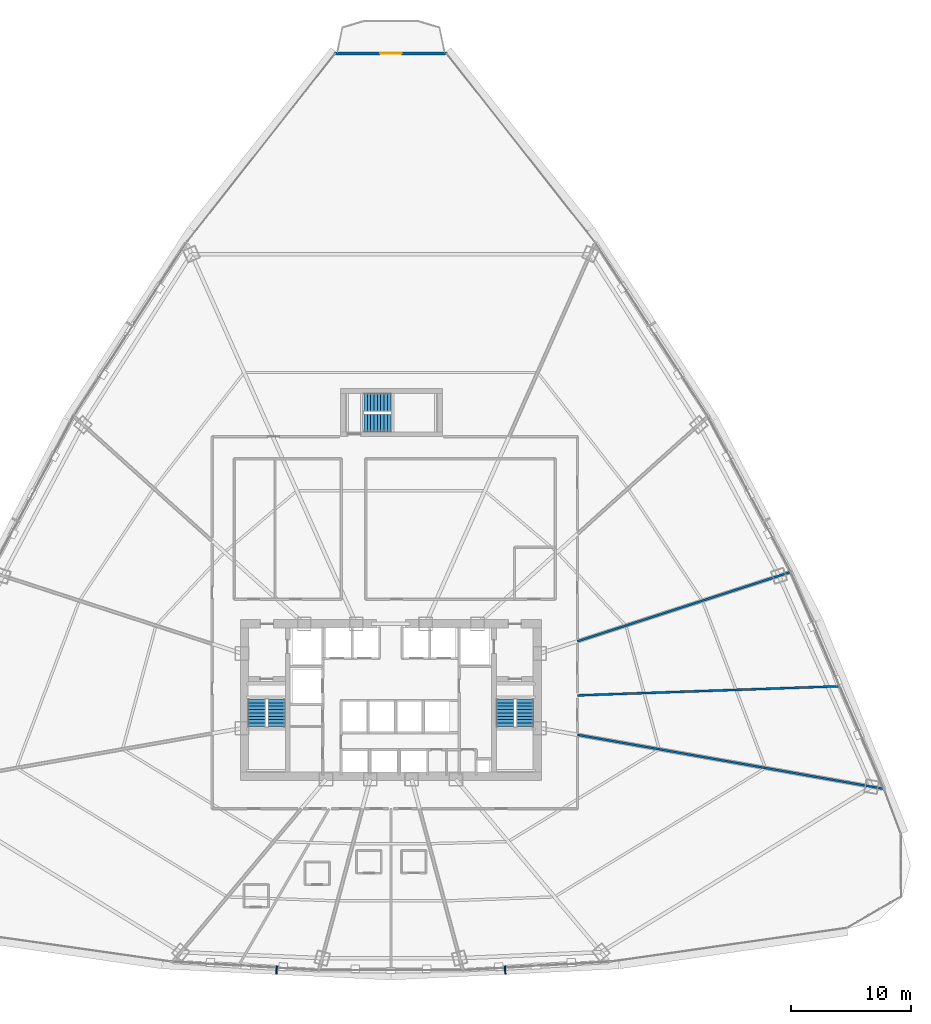
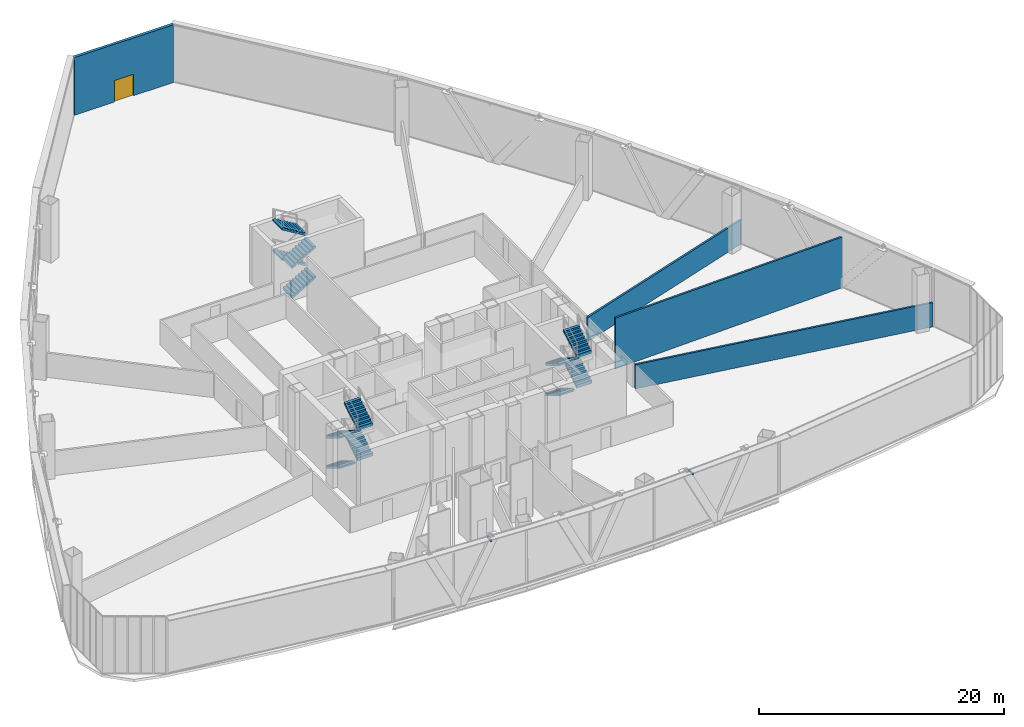
# One storey, part 36 of 41: 12 stair flights, 4 walls, 2 discrete accessories, 1 door, 1 opening, 3 elements without a shape of their own.
"""IFC4 building model written with IfcOpenShell, lengths in metres."""

import ifcopenshell
import ifcopenshell.guid

model = None  # the IFC model being written
_history = None  # IfcOwnerHistory: only IFC2X3 demands one
_inside = {}  # id of a spatial element -> (the spatial element, [elements in it])
_under = {}  # id of a project, library or spatial element -> (it, [spatial elements below it])
_declared = {}  # id of a project -> (the project, [libraries it declares])
_typed = {}  # id of a type object -> (the type object, [elements of that type])
_made_of = {}  # id of a material, layer set ... -> (it, [elements and type objects made of it])


def new_model(schema):
    """Start an empty IFC model of exactly this schema.

    Asked for "IFC4X3", IfcOpenShell would pick the latest addendum, in which some entities
    have other attributes; the version numbers below select the first issue.
    IFC2X3 requires an IfcOwnerHistory on every rooted entity: one is made here for all.
    """
    global model, _history
    if schema == "IFC4X3":
        model = ifcopenshell.file(schema_version=(4, 3, 0, 0))
    else:
        model = ifcopenshell.file(schema=schema)
    _inside.clear()
    _under.clear()
    _declared.clear()
    _typed.clear()
    _made_of.clear()
    _history = None
    if model.schema == "IFC2X3":
        org = make("IfcOrganization", Name="unknown")
        user = make(
            "IfcPersonAndOrganization",
            ThePerson=make("IfcPerson", FamilyName="unknown"),
            TheOrganization=org,
        )
        app = make(
            "IfcApplication",
            ApplicationDeveloper=org,
            Version="unknown",
            ApplicationFullName="unknown",
            ApplicationIdentifier="unknown",
        )
        _history = make(
            "IfcOwnerHistory",
            OwningUser=user,
            OwningApplication=app,
            ChangeAction="ADDED",
            CreationDate=0,
        )
    return model


def make(cls, **values):
    """One entity of the class cls with the attributes given. An attribute that is None is left unset."""
    return model.create_entity(
        cls, **{name: value for name, value in values.items() if value is not None}
    )


def rooted(cls, **values):
    """An entity with a GlobalId (a new one), such as an element, a storey or a relation."""
    return make(cls, GlobalId=ifcopenshell.guid.new(), OwnerHistory=_history, **values)


def si_unit(unit_type, name, prefix=None):
    """IfcSIUnit, for example si_unit("LENGTHUNIT", "METRE", prefix="MILLI")."""
    return make("IfcSIUnit", UnitType=unit_type, Prefix=prefix, Name=name)


def assignment(units):
    """IfcUnitAssignment: the units of a project."""
    return None if units is None else make("IfcUnitAssignment", Units=units)


def point(xyz):
    """IfcCartesianPoint."""
    return None if xyz is None else make("IfcCartesianPoint", Coordinates=xyz)


def direction(xyz):
    """IfcDirection."""
    return None if xyz is None else make("IfcDirection", DirectionRatios=xyz)


def frame(location, z_axis=None, x_axis=None):
    """IfcAxis2Placement3D, a coordinate frame: its origin and axes. An axis left out is left unset."""
    return make(
        "IfcAxis2Placement3D",
        Location=point(location),
        Axis=direction(z_axis),
        RefDirection=direction(x_axis),
    )


def frame_2d(location, x_axis=None):
    """IfcAxis2Placement2D, a coordinate frame in the plane: its origin and x axis."""
    return make(
        "IfcAxis2Placement2D", Location=point(location), RefDirection=direction(x_axis)
    )


def origin():
    """The frame at (0, 0, 0) with its axes left unset."""
    return frame((0.0, 0.0, 0.0))


def origin_with_axes():
    """The frame at (0, 0, 0) with the z axis (0, 0, 1) and the x axis (1, 0, 0) written out."""
    return frame((0.0, 0.0, 0.0), z_axis=(0.0, 0.0, 1.0), x_axis=(1.0, 0.0, 0.0))


def origin_2d():
    """The frame at (0, 0) in the plane with its x axis left unset."""
    return frame_2d((0.0, 0.0))


def place(relative_to, where):
    """IfcLocalPlacement: puts the frame where relative to a parent placement (None: the world)."""
    return make(
        "IfcLocalPlacement", PlacementRelTo=relative_to, RelativePlacement=where
    )


def context(
    kind, dimensions, precision=None, world=None, true_north=None, identifier=None
):
    """IfcGeometricRepresentationContext, for example the 3D "Model" context."""
    return make(
        "IfcGeometricRepresentationContext",
        ContextIdentifier=identifier,
        ContextType=kind,
        CoordinateSpaceDimension=dimensions,
        Precision=precision,
        WorldCoordinateSystem=world,
        TrueNorth=true_north,
    )


def subcontext(parent, identifier, kind, view, scale=None):
    """IfcGeometricRepresentationSubContext, for example "Body" below "Model"."""
    return make(
        "IfcGeometricRepresentationSubContext",
        ContextIdentifier=identifier,
        ContextType=kind,
        ParentContext=parent,
        TargetScale=scale,
        TargetView=view,
    )


def project(units=None, contexts=None):
    """IfcProject with its units and contexts."""
    return rooted(
        "IfcProject",
        Name="project",
        RepresentationContexts=contexts,
        UnitsInContext=assignment(units),
    )


def spatial(cls, under=None, at=None, **own):
    """A site, building, storey or space (cls), placed at a placement, below another one or the project."""
    s = rooted(cls, ObjectPlacement=at, **own)
    if under is not None:
        _under.setdefault(under.id(), (under, []))[1].append(s)
    return s


def polyline(points):
    """IfcPolyline through the points."""
    return make("IfcPolyline", Points=[point(p) for p in points])


def profile(cls, at=None, kind="AREA", **sizes):
    """A parametric profile (cls). Its sizes go by their IFC names, for example OverallWidth=200.0."""
    return make(cls, ProfileType=kind, Position=at, **sizes)


def rectangle(**sizes):
    """IfcRectangleProfileDef."""
    return profile("IfcRectangleProfileDef", **sizes)


def outline(outer, holes=None, kind="AREA"):
    """IfcArbitraryClosedProfileDef: a profile drawn as a closed curve; with holes, ...WithVoids."""
    if holes is None:
        return make("IfcArbitraryClosedProfileDef", ProfileType=kind, OuterCurve=outer)
    return make(
        "IfcArbitraryProfileDefWithVoids",
        ProfileType=kind,
        OuterCurve=outer,
        InnerCurves=holes,
    )


def extrude(swept, where, along, depth):
    """IfcExtrudedAreaSolid: the profile swept, set in the frame where, extruded along a direction by depth."""
    return make(
        "IfcExtrudedAreaSolid",
        SweptArea=swept,
        Position=where,
        ExtrudedDirection=direction(along),
        Depth=depth,
    )


def shape(context_of_items, identifier, shape_type, items):
    """IfcShapeRepresentation: the items that make up one representation, for example the "Body"."""
    return make(
        "IfcShapeRepresentation",
        ContextOfItems=context_of_items,
        RepresentationIdentifier=identifier,
        RepresentationType=shape_type,
        Items=items,
    )


def source(mapping_origin, context_of_items, identifier, shape_type, items):
    """IfcRepresentationMap: a shape defined once, which mapped items show again and again."""
    return make(
        "IfcRepresentationMap",
        MappingOrigin=mapping_origin,
        MappedRepresentation=shape(context_of_items, identifier, shape_type, items),
    )


def transform(
    local_origin,
    x_axis=None,
    y_axis=None,
    z_axis=None,
    scale=None,
    scale2=None,
    scale3=None,
    uniform=True,
):
    """IfcCartesianTransformationOperator3D, or its non-uniform kind. x_axis, y_axis, z_axis: its Axis1, 2, 3."""
    if uniform:
        return make(
            "IfcCartesianTransformationOperator3D",
            Axis1=direction(x_axis),
            Axis2=direction(y_axis),
            LocalOrigin=point(local_origin),
            Scale=scale,
            Axis3=direction(z_axis),
        )
    return make(
        "IfcCartesianTransformationOperator3DnonUniform",
        Axis1=direction(x_axis),
        Axis2=direction(y_axis),
        LocalOrigin=point(local_origin),
        Scale=scale,
        Axis3=direction(z_axis),
        Scale2=scale2,
        Scale3=scale3,
    )


def mapped(mapping_source, mapping_target):
    """IfcMappedItem: shows the shape of a source again, moved by a transform."""
    return make(
        "IfcMappedItem", MappingSource=mapping_source, MappingTarget=mapping_target
    )


def material(Name=None, Category=None):
    """IfcMaterial."""
    return make("IfcMaterial", Name=Name, Category=Category)


def layer(
    of_material, thickness, ventilated=None, Name=None, Category=None, Priority=None
):
    """IfcMaterialLayer: one layer of a wall or slab, of a material (None: an air gap)."""
    return make(
        "IfcMaterialLayer",
        Material=of_material,
        LayerThickness=thickness,
        IsVentilated=ventilated,
        Name=Name,
        Category=Category,
        Priority=Priority,
    )


def layer_set(layers, Name=None):
    """IfcMaterialLayerSet."""
    return make("IfcMaterialLayerSet", MaterialLayers=layers, LayerSetName=Name)


def made_of(thing, what):
    """Note that an element or type object is made of a material, layer set ...; save() writes the relation."""
    if what is not None:
        _made_of.setdefault(what.id(), (what, []))[1].append(thing)
    return thing


def type_object(cls, material=None, **own):
    """A type object (cls), such as IfcWallType, which elements share."""
    return made_of(rooted(cls, **own), material)


def element(
    cls,
    number,
    at=None,
    inside=None,
    cuts=None,
    type_object=None,
    material=None,
    context=None,
    identifier="Body",
    shape_type=None,
    held_by="IfcProductDefinitionShape",
    body=None,
    shapes=None,
    **own,
):
    """One element of the class cls, such as IfcWall. Its Tag is "e" and its number.

    at: its placement. inside: the storey or other place that contains it. cuts: it is an
    opening in that element (IfcRelVoidsElement). A single representation is given by context,
    identifier, shape_type and body (its items); several are given by shapes. held_by: the class
    of the entity that holds the representations. save() writes the other relations.
    """
    e = rooted(cls, Tag="e%d" % number, ObjectPlacement=at, **own)
    if body is not None:
        shapes = [shape(context, identifier, shape_type, body)]
    if shapes is not None:
        e.Representation = make(held_by, Representations=shapes)
    if inside is not None:
        _inside.setdefault(inside.id(), (inside, []))[1].append(e)
    if cuts is not None:
        rooted(
            "IfcRelVoidsElement", RelatingBuildingElement=cuts, RelatedOpeningElement=e
        )
    if type_object is not None:
        _typed.setdefault(type_object.id(), (type_object, []))[1].append(e)
    return made_of(e, material)


def fill(opening, filler):
    """IfcRelFillsElement: the door or window that sits in an opening."""
    return rooted(
        "IfcRelFillsElement",
        RelatingOpeningElement=opening,
        RelatedBuildingElement=filler,
    )


def aggregate(whole, parts):
    """IfcRelAggregates: a whole, such as a stair, and the parts it consists of."""
    return rooted("IfcRelAggregates", RelatingObject=whole, RelatedObjects=parts)


def save(model, path):
    """Write the relations noted so far, then the file.

    IfcRelAggregates (storeys below a building ...), IfcRelContainedInSpatialStructure (elements
    in a storey), IfcRelDefinesByType, IfcRelAssociatesMaterial and IfcRelDeclares: one each for
    every whole, place, type object, material and project.
    """
    for whole, parts in _under.values():
        aggregate(whole, parts)
    for where, things in _inside.values():
        rooted(
            "IfcRelContainedInSpatialStructure",
            RelatedElements=things,
            RelatingStructure=where,
        )
    for kind, things in _typed.values():
        rooted("IfcRelDefinesByType", RelatedObjects=things, RelatingType=kind)
    for what, things in _made_of.values():
        rooted("IfcRelAssociatesMaterial", RelatedObjects=things, RelatingMaterial=what)
    for by, libraries in _declared.values():
        rooted("IfcRelDeclares", RelatingContext=by, RelatedDefinitions=libraries)
    model.write(path)


model = new_model("IFC4")

# Units and contexts
model_context = context("Model", 3, precision=1e-05, world=origin(), true_north=direction((0.0, 1.0)))
body_context = subcontext(model_context, "Body", "Model", "MODEL_VIEW")
ifc_project = project(units=[si_unit("LENGTHUNIT", "METRE"), si_unit("AREAUNIT", "SQUARE_METRE"), si_unit("VOLUMEUNIT", "CUBIC_METRE"), si_unit("PLANEANGLEUNIT", "RADIAN"), si_unit("MASSUNIT", "GRAM", prefix="KILO"), si_unit("THERMODYNAMICTEMPERATUREUNIT", "KELVIN"), si_unit("POWERUNIT", "WATT")], contexts=[model_context])

# Site, building, storey
site_placement = place(None, origin())
site = spatial("IfcSite", under=ifc_project, at=site_placement, CompositionType="ELEMENT")
building_placement = place(site_placement, origin())
building = spatial("IfcBuilding", under=site, at=building_placement, Name="Yunzhuo Pagoda Commons", CompositionType="ELEMENT")
storey_placement = place(building_placement, frame((0.0, 0.0, 70.330078125)))
storey = spatial("IfcBuildingStorey", under=building, at=storey_placement, Name="L18", CompositionType="ELEMENT", Elevation=70.330078125)

# Wall, opening, door
ifc_material_1 = material(Name="Precast concrete C40", Category="concrete")
ifc_layer_1 = layer(ifc_material_1, 0.260009765625)
ifc_layer_set_1 = layer_set([ifc_layer_1], Name="Precast concrete C40")
wall_type_1 = type_object("IfcWallType", Name="W-BAL1 Corner Balcony Threshold Wall 260", PredefinedType="STANDARD", material=ifc_layer_set_1)
wall_1_placement = place(storey_placement, frame((52.69287109375, 87.735107421875, 0.0), z_axis=(0.0, 0.0, 1.0), x_axis=(-1.0, 0.0, 0.0)))
wall_1 = element("IfcWall", 1, at=wall_1_placement, inside=storey, type_object=wall_type_1, Name="L18 corner balcony wall V3", PredefinedType="STANDARD", context=body_context, shape_type="SweptSolid", body=[
    extrude(rectangle(XDim=9.3857421875, YDim=0.260009765625, at=frame_2d((4.69287109375, 0.0))), origin(), (0.0, 0.0, 1.0), 5.77001953125),
])
opening_placement = place(wall_1_placement, frame((3.79296875, 0.0, 0.0)))
opening = element("IfcOpeningElement", 2, at=opening_placement, cuts=wall_1, Name="Opening D-BAL1", PredefinedType="OPENING", context=body_context, shape_type="SweptSolid", body=[
    extrude(rectangle(XDim=1.800048828125, YDim=2.14990234375, at=frame_2d((0.89990234375, 1.074951171875))), frame((0.0, 0.14013671875, 0.0), z_axis=(0.0, -1.0, 0.0), x_axis=(1.0, 0.0, 0.0)), (0.0, 0.0, 1.0), 0.280029296875),
])
ifc_material_2 = material(Name="Anodized aluminium frame and tempered glazed leaf", Category="aluminium")
door_type = type_object("IfcDoorType", Name="D-BAL1 Corner Balcony Sliding Glazed Door 1800x2150", OperationType="DOUBLE_DOOR_SLIDING", PredefinedType="DOOR", material=ifc_material_2)
shared_shape_1 = source(origin(), body_context, "Body", "SweptSolid", [
    extrude(rectangle(XDim=1.800048828125, YDim=2.14990234375, at=frame_2d((0.89990234375, 1.074951171875))), frame((0.0, 0.02490234375, 0.0), z_axis=(0.0, -1.0, 0.0), x_axis=(1.0, 0.0, 0.0)), (0.0, 0.0, 1.0), 0.050048828125),
])
door_placement = place(opening_placement, origin_with_axes())
door = element("IfcDoor", 3, at=door_placement, inside=storey, type_object=door_type, Name="L18 corner balcony sliding door V3", OperationType="DOUBLE_DOOR_SLIDING", OverallHeight=2.14990234375, OverallWidth=1.800048828125, PredefinedType="DOOR", context=body_context, shape_type="MappedRepresentation", body=[
    mapped(shared_shape_1, transform((0.0, 0.0, 0.0), scale=1.0)),
])
fill(opening, door)

# Walls
ifc_material_3 = material(Name="Gypsum plasterboard on acoustic stud")
ifc_layer_2 = layer(ifc_material_3, 0.179931640625)
ifc_layer_set_2 = layer_set([ifc_layer_2], Name="Gypsum plasterboard on acoustic stud")
wall_type_2 = type_object("IfcWallType", Name="W-PRT2 Acoustic Unit Demising Wall 180", PredefinedType="PARTITIONING", material=ifc_layer_set_2)
wall_2_placement = place(storey_placement, frame((63.550048828125, 34.242919921875, 0.0), z_axis=(0.0, 0.0, 1.0), x_axis=(0.999390701976, 0.034903077271, 0.0)))
element("IfcWall", 4, at=wall_2_placement, inside=storey, type_object=wall_type_2, Name="L18 interior wall IW-L18-RAD01", PredefinedType="PARTITIONING", context=body_context, shape_type="SweptSolid", body=[
    extrude(rectangle(XDim=21.8798828125, YDim=0.179931640625, at=frame_2d((10.93994140625, 0.0))), origin(), (0.0, 0.0, 1.0), 5.06982421875),
])
wall_3_placement = place(storey_placement, frame((63.550048828125, 38.75244140625, 0.0), z_axis=(0.0, 0.0, 1.0), x_axis=(0.951053160417, 0.309027322514, 0.0)))
element("IfcWall", 5, at=wall_3_placement, inside=storey, type_object=wall_type_2, Name="L18 interior wall IW-L18-RAD02", PredefinedType="PARTITIONING", context=body_context, shape_type="SweptSolid", body=[
    extrude(rectangle(XDim=18.69921875, YDim=0.179931640625, at=frame_2d((9.349609375, 0.0))), origin(), (0.0, 0.0, 1.0), 2.419921875),
])
wall_4_placement = place(storey_placement, frame((63.550048828125, 30.9580078125, 0.0), z_axis=(0.0, 0.0, 1.0), x_axis=(0.984809239356, -0.173639747982, 0.0)))
element("IfcWall", 6, at=wall_4_placement, inside=storey, type_object=wall_type_2, Name="L18 interior wall IW-L18-RAD13", PredefinedType="PARTITIONING", context=body_context, shape_type="SweptSolid", body=[
    extrude(rectangle(XDim=25.925537109375, YDim=0.179931640625, at=frame_2d((12.962890625, 0.0))), origin(), (0.0, 0.0, 1.0), 2.419921875),
])

# Stair, stair flights
ifc_material_4 = material(Name="Concrete C40", Category="concrete")
stair_type_1 = type_object("IfcStairType", Name="ST-C1 Core Smokeproof Stair ST1", PredefinedType="HALF_TURN_STAIR", material=ifc_material_4)
stair_1_placement = place(storey_placement, origin())
stair_1 = element("IfcStair", 7, at=stair_1_placement, inside=storey, type_object=stair_type_1, Name="L18 Core smokeproof stair ST1", PredefinedType="HALF_TURN_STAIR")
stair_flight_type_1 = type_object("IfcStairFlightType", Name="STF-C1 Core Stair Flight 1450", PredefinedType="STRAIGHT", material=ifc_material_4)
shared_shape_2 = source(origin(), body_context, "Body", "SweptSolid", [
    extrude(outline(polyline([(0.0, -0.14990234375), (0.0, 0.0), (0.0, 0.16796875), (0.280029296875, 0.16796875), (0.280029296875, 0.336181640625), (0.56005859375, 0.336181640625), (0.56005859375, 0.504150390625), (0.840087890625, 0.504150390625), (0.840087890625, 0.672119140625), (1.1201171875, 0.672119140625), (1.1201171875, 0.84033203125), (1.39990234375, 0.84033203125), (1.39990234375, 1.00830078125), (1.679931640625, 1.00830078125), (1.679931640625, 1.17626953125), (1.9599609375, 1.17626953125), (1.9599609375, 1.344482421875), (2.239990234375, 1.344482421875), (2.239990234375, 1.512451171875), (2.239990234375, 1.169677734375), (0.291259765625, 0.0), (0.050048828125, -0.14990234375), (0.0, -0.14990234375)])), frame((0.0, 0.72509765625, 0.0), z_axis=(0.0, -1.0, 0.0), x_axis=(1.0, 0.0, 0.0)), (0.0, 0.0, 1.0), 1.449951171875),
])
stair_flight_1_placement = place(storey_placement, frame((36.824951171875, 33.89990234375, 0.0), z_axis=(0.0, 0.0, 1.0), x_axis=(0.0, -1.0, 0.0)))
stair_flight_1 = element("IfcStairFlight", 8, at=stair_flight_1_placement, type_object=stair_flight_type_1, Name="ST1 flight 1", NumberOfRisers=9, NumberOfTreads=8, PredefinedType="STRAIGHT", RiserHeight=0.168055556, TreadLength=0.28, context=body_context, shape_type="MappedRepresentation", body=[
    mapped(shared_shape_2, transform((0.0, 0.0, 0.0), scale=1.0)),
])
stair_flight_2_placement = place(storey_placement, frame((38.47509765625, 31.659912109375, 1.512451171875), z_axis=(0.0, 0.0, 1.0), x_axis=(0.0, 1.0, 0.0)))
stair_flight_2 = element("IfcStairFlight", 9, at=stair_flight_2_placement, type_object=stair_flight_type_1, Name="ST1 flight 2", NumberOfRisers=9, NumberOfTreads=8, PredefinedType="STRAIGHT", RiserHeight=0.168055556, TreadLength=0.28, context=body_context, shape_type="MappedRepresentation", body=[
    mapped(shared_shape_2, transform((0.0, 0.0, 0.0), scale=1.0)),
])
stair_flight_3_placement = place(storey_placement, frame((36.824951171875, 33.89990234375, 3.02490234375), z_axis=(0.0, 0.0, 1.0), x_axis=(0.0, -1.0, 0.0)))
stair_flight_3 = element("IfcStairFlight", 10, at=stair_flight_3_placement, type_object=stair_flight_type_1, Name="ST1 flight 3", NumberOfRisers=9, NumberOfTreads=8, PredefinedType="STRAIGHT", RiserHeight=0.168055556, TreadLength=0.28, context=body_context, shape_type="MappedRepresentation", body=[
    mapped(shared_shape_2, transform((0.0, 0.0, 0.0), scale=1.0)),
])
stair_flight_4_placement = place(storey_placement, frame((38.47509765625, 31.659912109375, 4.537353515625), z_axis=(0.0, 0.0, 1.0), x_axis=(0.0, 1.0, 0.0)))
stair_flight_4 = element("IfcStairFlight", 11, at=stair_flight_4_placement, type_object=stair_flight_type_1, Name="ST1 flight 4", NumberOfRisers=9, NumberOfTreads=8, PredefinedType="STRAIGHT", RiserHeight=0.168055556, TreadLength=0.28, context=body_context, shape_type="MappedRepresentation", body=[
    mapped(shared_shape_2, transform((0.0, 0.0, 0.0), scale=1.0)),
])
aggregate(stair_1, [stair_flight_1, stair_flight_2, stair_flight_3, stair_flight_4])

stair_type_2 = type_object("IfcStairType", Name="ST-C2 Core Smokeproof Stair ST2", PredefinedType="HALF_TURN_STAIR", material=ifc_material_4)
stair_2_placement = place(storey_placement, origin())
stair_2 = element("IfcStair", 12, at=stair_2_placement, inside=storey, type_object=stair_type_2, Name="L18 Core smokeproof stair ST2", PredefinedType="HALF_TURN_STAIR")
stair_flight_type_2 = type_object("IfcStairFlightType", Name="STF-C2 Core Stair Flight 1460", PredefinedType="STRAIGHT", material=ifc_material_4)
stair_flight_5_placement = place(storey_placement, frame((57.52490234375, 33.89990234375, 0.0), z_axis=(0.0, 0.0, 1.0), x_axis=(0.0, -1.0, 0.0)))
stair_flight_5 = element("IfcStairFlight", 13, at=stair_flight_5_placement, type_object=stair_flight_type_2, Name="ST2 flight 1", NumberOfRisers=9, NumberOfTreads=8, PredefinedType="STRAIGHT", RiserHeight=0.168055556, TreadLength=0.28, context=body_context, shape_type="MappedRepresentation", body=[
    mapped(shared_shape_2, transform((0.0, 0.0, 0.0), scale=1.0)),
])
stair_flight_6_placement = place(storey_placement, frame((59.175048828125, 31.659912109375, 1.512451171875), z_axis=(0.0, 0.0, 1.0), x_axis=(0.0, 1.0, 0.0)))
stair_flight_6 = element("IfcStairFlight", 14, at=stair_flight_6_placement, type_object=stair_flight_type_2, Name="ST2 flight 2", NumberOfRisers=9, NumberOfTreads=8, PredefinedType="STRAIGHT", RiserHeight=0.168055556, TreadLength=0.28, context=body_context, shape_type="MappedRepresentation", body=[
    mapped(shared_shape_2, transform((0.0, 0.0, 0.0), scale=1.0)),
])
stair_flight_7_placement = place(storey_placement, frame((57.52490234375, 33.89990234375, 3.02490234375), z_axis=(0.0, 0.0, 1.0), x_axis=(0.0, -1.0, 0.0)))
stair_flight_7 = element("IfcStairFlight", 15, at=stair_flight_7_placement, type_object=stair_flight_type_2, Name="ST2 flight 3", NumberOfRisers=9, NumberOfTreads=8, PredefinedType="STRAIGHT", RiserHeight=0.168055556, TreadLength=0.28, context=body_context, shape_type="MappedRepresentation", body=[
    mapped(shared_shape_2, transform((0.0, 0.0, 0.0), scale=1.0)),
])
stair_flight_8_placement = place(storey_placement, frame((59.175048828125, 31.659912109375, 4.537353515625), z_axis=(0.0, 0.0, 1.0), x_axis=(0.0, 1.0, 0.0)))
stair_flight_8 = element("IfcStairFlight", 16, at=stair_flight_8_placement, type_object=stair_flight_type_2, Name="ST2 flight 4", NumberOfRisers=9, NumberOfTreads=8, PredefinedType="STRAIGHT", RiserHeight=0.168055556, TreadLength=0.28, context=body_context, shape_type="MappedRepresentation", body=[
    mapped(shared_shape_2, transform((0.0, 0.0, 0.0), scale=1.0)),
])
aggregate(stair_2, [stair_flight_5, stair_flight_6, stair_flight_7, stair_flight_8])

stair_type_3 = type_object("IfcStairType", Name="ST-C3 North Tower Smokeproof Stair ST3", PredefinedType="HALF_TURN_STAIR", material=ifc_material_4)
stair_3_placement = place(storey_placement, origin())
stair_3 = element("IfcStair", 17, at=stair_3_placement, inside=storey, type_object=stair_type_3, Name="L18 North tower smokeproof stair ST3", PredefinedType="HALF_TURN_STAIR")
stair_flight_type_3 = type_object("IfcStairFlightType", Name="STF-C3 North Stair Flight 1500", PredefinedType="STRAIGHT", material=ifc_material_4)
shared_shape_3 = source(origin(), body_context, "Body", "SweptSolid", [
    extrude(outline(polyline([(0.0, -0.14990234375), (0.0, 0.0), (0.0, 0.16796875), (0.280029296875, 0.16796875), (0.280029296875, 0.336181640625), (0.56005859375, 0.336181640625), (0.56005859375, 0.504150390625), (0.840087890625, 0.504150390625), (0.840087890625, 0.672119140625), (1.1201171875, 0.672119140625), (1.1201171875, 0.84033203125), (1.39990234375, 0.84033203125), (1.39990234375, 1.00830078125), (1.679931640625, 1.00830078125), (1.679931640625, 1.17626953125), (1.9599609375, 1.17626953125), (1.9599609375, 1.344482421875), (2.239990234375, 1.344482421875), (2.239990234375, 1.512451171875), (2.239990234375, 1.169677734375), (0.291259765625, 0.0), (0.050048828125, -0.14990234375), (0.0, -0.14990234375)])), frame((0.0, 0.75, 0.0), z_axis=(0.0, -1.0, 0.0), x_axis=(1.0, 0.0, 0.0)), (0.0, 0.0, 1.0), 1.5),
])
stair_flight_9_placement = place(storey_placement, frame((45.75, 56.949951171875, 0.0), z_axis=(0.0, 0.0, 1.0), x_axis=(1.0, 0.0, 0.0)))
stair_flight_9 = element("IfcStairFlight", 18, at=stair_flight_9_placement, type_object=stair_flight_type_3, Name="ST3 flight 1", NumberOfRisers=9, NumberOfTreads=8, PredefinedType="STRAIGHT", RiserHeight=0.168055556, TreadLength=0.28, context=body_context, shape_type="MappedRepresentation", body=[
    mapped(shared_shape_3, transform((0.0, 0.0, 0.0), scale=1.0)),
])
stair_flight_10_placement = place(storey_placement, frame((47.989990234375, 58.64990234375, 1.512451171875), z_axis=(0.0, 0.0, 1.0), x_axis=(-1.0, 0.0, 0.0)))
stair_flight_10 = element("IfcStairFlight", 19, at=stair_flight_10_placement, type_object=stair_flight_type_3, Name="ST3 flight 2", NumberOfRisers=9, NumberOfTreads=8, PredefinedType="STRAIGHT", RiserHeight=0.168055556, TreadLength=0.28, context=body_context, shape_type="MappedRepresentation", body=[
    mapped(shared_shape_3, transform((0.0, 0.0, 0.0), scale=1.0)),
])
stair_flight_11_placement = place(storey_placement, frame((45.75, 56.949951171875, 3.02490234375), z_axis=(0.0, 0.0, 1.0), x_axis=(1.0, 0.0, 0.0)))
stair_flight_11 = element("IfcStairFlight", 20, at=stair_flight_11_placement, type_object=stair_flight_type_3, Name="ST3 flight 3", NumberOfRisers=9, NumberOfTreads=8, PredefinedType="STRAIGHT", RiserHeight=0.168055556, TreadLength=0.28, context=body_context, shape_type="MappedRepresentation", body=[
    mapped(shared_shape_3, transform((0.0, 0.0, 0.0), scale=1.0)),
])
stair_flight_12_placement = place(storey_placement, frame((47.989990234375, 58.64990234375, 4.537353515625), z_axis=(0.0, 0.0, 1.0), x_axis=(-1.0, 0.0, 0.0)))
stair_flight_12 = element("IfcStairFlight", 21, at=stair_flight_12_placement, type_object=stair_flight_type_3, Name="ST3 flight 4", NumberOfRisers=9, NumberOfTreads=8, PredefinedType="STRAIGHT", RiserHeight=0.168055556, TreadLength=0.28, context=body_context, shape_type="MappedRepresentation", body=[
    mapped(shared_shape_3, transform((0.0, 0.0, 0.0), scale=1.0)),
])
aggregate(stair_3, [stair_flight_9, stair_flight_10, stair_flight_11, stair_flight_12])

# Discrete accessories
ifc_material_5 = material(Name="Anodized aluminium 6063-T6", Category="aluminium")
discrete_accessory_type = type_object("IfcDiscreteAccessoryType", Name="BK-SUN1 Sunshade Outrigger Bracket", PredefinedType="BRACKET", material=ifc_material_5)
shared_shape_4 = source(origin(), body_context, "Body", "SweptSolid", [
    extrude(rectangle(XDim=0.1201171875, YDim=0.679931640625, at=origin_2d()), origin(), (0.0, 0.0, 1.0), 0.179931640625),
])
for number, where, z_axis, x_axis, name in (
    (22, (38.481689453125, 11.357666015625, 5.56005859375), (0.0, 0.0, 1.0), (0.998818043775, -0.04860571396, 0.0), "L18 sunshade outrigger bracket F1.2"),
    (23, (57.518310546875, 11.357666015625, 5.56005859375), (0.0, 0.0, 1.0), (0.998818043775, 0.04860571396, 0.0), "L18 sunshade outrigger bracket F1.3"),
):
    element("IfcDiscreteAccessory", number, at=place(storey_placement, frame(where, z_axis=z_axis, x_axis=x_axis)), inside=storey, type_object=discrete_accessory_type, Name=name, PredefinedType="BRACKET", context=body_context, shape_type="MappedRepresentation", body=[
        mapped(shared_shape_4, transform((0.0, 0.0, 0.0), scale=1.0)),
    ])

save(model, "model.ifc")
